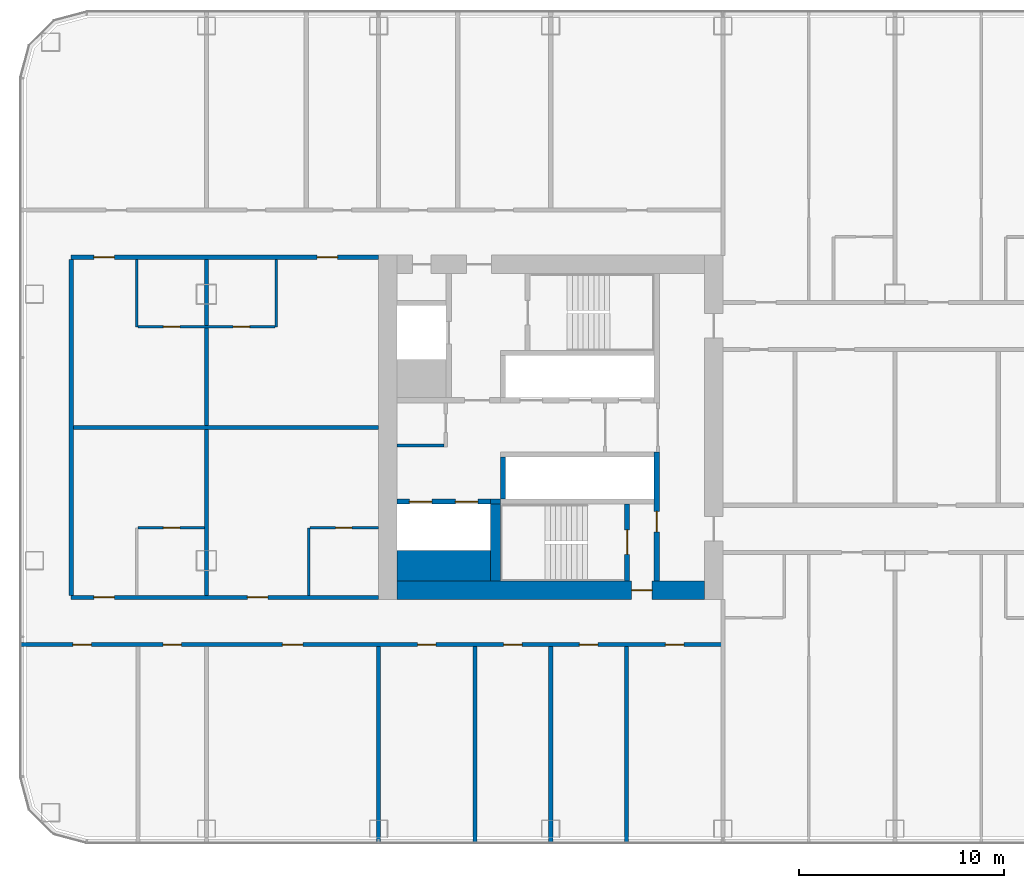
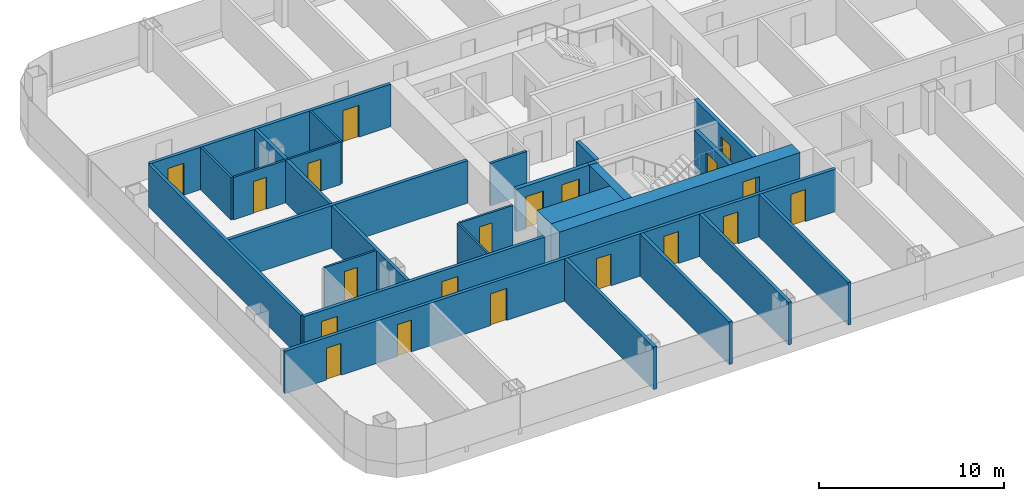
# One storey, part 13 of 28: 25 walls, 20 doors, 20 openings.
"""IFC4 building model written with IfcOpenShell, lengths in metres."""

import ifcopenshell
import ifcopenshell.guid

model = None  # the IFC model being written
_history = None  # IfcOwnerHistory: only IFC2X3 demands one
_inside = {}  # id of a spatial element -> (the spatial element, [elements in it])
_under = {}  # id of a project, library or spatial element -> (it, [spatial elements below it])
_declared = {}  # id of a project -> (the project, [libraries it declares])
_typed = {}  # id of a type object -> (the type object, [elements of that type])
_made_of = {}  # id of a material, layer set ... -> (it, [elements and type objects made of it])


def new_model(schema):
    """Start an empty IFC model of exactly this schema.

    Asked for "IFC4X3", IfcOpenShell would pick the latest addendum, in which some entities
    have other attributes; the version numbers below select the first issue.
    IFC2X3 requires an IfcOwnerHistory on every rooted entity: one is made here for all.
    """
    global model, _history
    if schema == "IFC4X3":
        model = ifcopenshell.file(schema_version=(4, 3, 0, 0))
    else:
        model = ifcopenshell.file(schema=schema)
    _inside.clear()
    _under.clear()
    _declared.clear()
    _typed.clear()
    _made_of.clear()
    _history = None
    if model.schema == "IFC2X3":
        org = make("IfcOrganization", Name="unknown")
        user = make(
            "IfcPersonAndOrganization",
            ThePerson=make("IfcPerson", FamilyName="unknown"),
            TheOrganization=org,
        )
        app = make(
            "IfcApplication",
            ApplicationDeveloper=org,
            Version="unknown",
            ApplicationFullName="unknown",
            ApplicationIdentifier="unknown",
        )
        _history = make(
            "IfcOwnerHistory",
            OwningUser=user,
            OwningApplication=app,
            ChangeAction="ADDED",
            CreationDate=0,
        )
    return model


def make(cls, **values):
    """One entity of the class cls with the attributes given. An attribute that is None is left unset."""
    return model.create_entity(
        cls, **{name: value for name, value in values.items() if value is not None}
    )


def rooted(cls, **values):
    """An entity with a GlobalId (a new one), such as an element, a storey or a relation."""
    return make(cls, GlobalId=ifcopenshell.guid.new(), OwnerHistory=_history, **values)


def si_unit(unit_type, name, prefix=None):
    """IfcSIUnit, for example si_unit("LENGTHUNIT", "METRE", prefix="MILLI")."""
    return make("IfcSIUnit", UnitType=unit_type, Prefix=prefix, Name=name)


def assignment(units):
    """IfcUnitAssignment: the units of a project."""
    return None if units is None else make("IfcUnitAssignment", Units=units)


def point(xyz):
    """IfcCartesianPoint."""
    return None if xyz is None else make("IfcCartesianPoint", Coordinates=xyz)


def direction(xyz):
    """IfcDirection."""
    return None if xyz is None else make("IfcDirection", DirectionRatios=xyz)


def frame(location, z_axis=None, x_axis=None):
    """IfcAxis2Placement3D, a coordinate frame: its origin and axes. An axis left out is left unset."""
    return make(
        "IfcAxis2Placement3D",
        Location=point(location),
        Axis=direction(z_axis),
        RefDirection=direction(x_axis),
    )


def frame_2d(location, x_axis=None):
    """IfcAxis2Placement2D, a coordinate frame in the plane: its origin and x axis."""
    return make(
        "IfcAxis2Placement2D", Location=point(location), RefDirection=direction(x_axis)
    )


def origin():
    """The frame at (0, 0, 0) with its axes left unset."""
    return frame((0.0, 0.0, 0.0))


def place(relative_to, where):
    """IfcLocalPlacement: puts the frame where relative to a parent placement (None: the world)."""
    return make(
        "IfcLocalPlacement", PlacementRelTo=relative_to, RelativePlacement=where
    )


def context(
    kind, dimensions, precision=None, world=None, true_north=None, identifier=None
):
    """IfcGeometricRepresentationContext, for example the 3D "Model" context."""
    return make(
        "IfcGeometricRepresentationContext",
        ContextIdentifier=identifier,
        ContextType=kind,
        CoordinateSpaceDimension=dimensions,
        Precision=precision,
        WorldCoordinateSystem=world,
        TrueNorth=true_north,
    )


def subcontext(parent, identifier, kind, view, scale=None):
    """IfcGeometricRepresentationSubContext, for example "Body" below "Model"."""
    return make(
        "IfcGeometricRepresentationSubContext",
        ContextIdentifier=identifier,
        ContextType=kind,
        ParentContext=parent,
        TargetScale=scale,
        TargetView=view,
    )


def project(units=None, contexts=None):
    """IfcProject with its units and contexts."""
    return rooted(
        "IfcProject",
        Name="project",
        RepresentationContexts=contexts,
        UnitsInContext=assignment(units),
    )


def spatial(cls, under=None, at=None, **own):
    """A site, building, storey or space (cls), placed at a placement, below another one or the project."""
    s = rooted(cls, ObjectPlacement=at, **own)
    if under is not None:
        _under.setdefault(under.id(), (under, []))[1].append(s)
    return s


def profile(cls, at=None, kind="AREA", **sizes):
    """A parametric profile (cls). Its sizes go by their IFC names, for example OverallWidth=200.0."""
    return make(cls, ProfileType=kind, Position=at, **sizes)


def rectangle(**sizes):
    """IfcRectangleProfileDef."""
    return profile("IfcRectangleProfileDef", **sizes)


def extrude(swept, where, along, depth):
    """IfcExtrudedAreaSolid: the profile swept, set in the frame where, extruded along a direction by depth."""
    return make(
        "IfcExtrudedAreaSolid",
        SweptArea=swept,
        Position=where,
        ExtrudedDirection=direction(along),
        Depth=depth,
    )


def shape(context_of_items, identifier, shape_type, items):
    """IfcShapeRepresentation: the items that make up one representation, for example the "Body"."""
    return make(
        "IfcShapeRepresentation",
        ContextOfItems=context_of_items,
        RepresentationIdentifier=identifier,
        RepresentationType=shape_type,
        Items=items,
    )


def material(Name=None, Category=None):
    """IfcMaterial."""
    return make("IfcMaterial", Name=Name, Category=Category)


def layer(
    of_material, thickness, ventilated=None, Name=None, Category=None, Priority=None
):
    """IfcMaterialLayer: one layer of a wall or slab, of a material (None: an air gap)."""
    return make(
        "IfcMaterialLayer",
        Material=of_material,
        LayerThickness=thickness,
        IsVentilated=ventilated,
        Name=Name,
        Category=Category,
        Priority=Priority,
    )


def layer_set(layers, Name=None):
    """IfcMaterialLayerSet."""
    return make("IfcMaterialLayerSet", MaterialLayers=layers, LayerSetName=Name)


def made_of(thing, what):
    """Note that an element or type object is made of a material, layer set ...; save() writes the relation."""
    if what is not None:
        _made_of.setdefault(what.id(), (what, []))[1].append(thing)
    return thing


def type_object(cls, material=None, **own):
    """A type object (cls), such as IfcWallType, which elements share."""
    return made_of(rooted(cls, **own), material)


def element(
    cls,
    number,
    at=None,
    inside=None,
    cuts=None,
    type_object=None,
    material=None,
    context=None,
    identifier="Body",
    shape_type=None,
    held_by="IfcProductDefinitionShape",
    body=None,
    shapes=None,
    **own,
):
    """One element of the class cls, such as IfcWall. Its Tag is "e" and its number.

    at: its placement. inside: the storey or other place that contains it. cuts: it is an
    opening in that element (IfcRelVoidsElement). A single representation is given by context,
    identifier, shape_type and body (its items); several are given by shapes. held_by: the class
    of the entity that holds the representations. save() writes the other relations.
    """
    e = rooted(cls, Tag="e%d" % number, ObjectPlacement=at, **own)
    if body is not None:
        shapes = [shape(context, identifier, shape_type, body)]
    if shapes is not None:
        e.Representation = make(held_by, Representations=shapes)
    if inside is not None:
        _inside.setdefault(inside.id(), (inside, []))[1].append(e)
    if cuts is not None:
        rooted(
            "IfcRelVoidsElement", RelatingBuildingElement=cuts, RelatedOpeningElement=e
        )
    if type_object is not None:
        _typed.setdefault(type_object.id(), (type_object, []))[1].append(e)
    return made_of(e, material)


def fill(opening, filler):
    """IfcRelFillsElement: the door or window that sits in an opening."""
    return rooted(
        "IfcRelFillsElement",
        RelatingOpeningElement=opening,
        RelatedBuildingElement=filler,
    )


def aggregate(whole, parts):
    """IfcRelAggregates: a whole, such as a stair, and the parts it consists of."""
    return rooted("IfcRelAggregates", RelatingObject=whole, RelatedObjects=parts)


def save(model, path):
    """Write the relations noted so far, then the file.

    IfcRelAggregates (storeys below a building ...), IfcRelContainedInSpatialStructure (elements
    in a storey), IfcRelDefinesByType, IfcRelAssociatesMaterial and IfcRelDeclares: one each for
    every whole, place, type object, material and project.
    """
    for whole, parts in _under.values():
        aggregate(whole, parts)
    for where, things in _inside.values():
        rooted(
            "IfcRelContainedInSpatialStructure",
            RelatedElements=things,
            RelatingStructure=where,
        )
    for kind, things in _typed.values():
        rooted("IfcRelDefinesByType", RelatedObjects=things, RelatingType=kind)
    for what, things in _made_of.values():
        rooted("IfcRelAssociatesMaterial", RelatedObjects=things, RelatingMaterial=what)
    for by, libraries in _declared.values():
        rooted("IfcRelDeclares", RelatingContext=by, RelatedDefinitions=libraries)
    model.write(path)


model = new_model("IFC4")

# Units and contexts
model_context = context("Model", 3, precision=1e-05, world=origin(), true_north=direction((0.0, 1.0)))
body_context = subcontext(model_context, "Body", "Model", "MODEL_VIEW")
ifc_project = project(units=[si_unit("LENGTHUNIT", "METRE"), si_unit("AREAUNIT", "SQUARE_METRE"), si_unit("VOLUMEUNIT", "CUBIC_METRE"), si_unit("PLANEANGLEUNIT", "RADIAN"), si_unit("MASSUNIT", "GRAM", prefix="KILO")], contexts=[model_context])

# Site, building, storey
site_placement = place(None, origin())
site = spatial("IfcSite", under=ifc_project, at=site_placement, CompositionType="ELEMENT")
building_placement = place(site_placement, origin())
building = spatial("IfcBuilding", under=site, at=building_placement, Name="Hakoniwa Tower and Hamabe Station Hall", CompositionType="ELEMENT")
storey_placement = place(building_placement, frame((0.0, 0.0, 48.60009765625)))
storey = spatial("IfcBuildingStorey", under=building, at=storey_placement, Name="L13", CompositionType="ELEMENT", Elevation=48.60009765625)

# Wall, opening, door
ifc_material_1 = material(Name="Gypsum board partition", Category="gypsum")
ifc_layer_1 = layer(ifc_material_1, 0.125)
ifc_layer_set_1 = layer_set([ifc_layer_1], Name="Bathroom Partition 125")
wall_type_1 = type_object("IfcWallType", Name="Bathroom Partition 125", PredefinedType="PARTITIONING", material=ifc_layer_set_1)
wall_1_placement = place(storey_placement, frame((-45.33740234375, -4.89990234375, 0.0), z_axis=(0.0, 0.0, 1.0), x_axis=(1.0, 0.0, 0.0)))
wall_1 = element("IfcWall", 1, at=wall_1_placement, inside=storey, type_object=wall_type_1, Name="GW-L13-010", PredefinedType="PARTITIONING", context=body_context, shape_type="SweptSolid", body=[
    extrude(rectangle(XDim=3.2373046875, YDim=0.125, at=frame_2d((1.61865234375, 0.0))), origin(), (0.0, 0.0, 1.0), 2.7998046875),
])
opening_1_placement = place(wall_1_placement, frame((1.237548828125, 0.0, 0.0)))
opening_1 = element("IfcOpeningElement", 2, at=opening_1_placement, cuts=wall_1, Name="Opening GD-G1E1-24", PredefinedType="OPENING", context=body_context, shape_type="SweptSolid", body=[
    extrude(rectangle(XDim=0.800048828125, YDim=2.10009765625, at=frame_2d((0.39990234375, 1.050048828125))), frame((0.0, 0.072509765625, 0.0), z_axis=(0.0, -1.0, 0.0), x_axis=(1.0, 0.0, 0.0)), (0.0, 0.0, 1.0), 0.14501953125),
])
ifc_material_2 = material(Name="Timber door leaf", Category="wood")
door_type_1 = type_object("IfcDoorType", Name="Bathroom Door 800", OperationType="SINGLE_SWING_LEFT", PredefinedType="DOOR", material=ifc_material_2)
door_1_placement = place(opening_1_placement, origin())
door_1 = element("IfcDoor", 3, at=door_1_placement, inside=storey, type_object=door_type_1, Name="Door GD-G1E1-24", OperationType="SINGLE_SWING_LEFT", OverallHeight=2.10009765625, OverallWidth=0.800048828125, PredefinedType="DOOR", context=body_context, shape_type="SweptSolid", body=[
    extrude(rectangle(XDim=0.800048828125, YDim=2.10009765625, at=frame_2d((0.39990234375, 1.050048828125))), frame((0.0, 0.02490234375, 0.0), z_axis=(0.0, -1.0, 0.0), x_axis=(1.0, 0.0, 0.0)), (0.0, 0.0, 1.0), 0.050048828125),
])
fill(opening_1, door_1)

wall_2_placement = place(storey_placement, frame((-36.9375, -4.89990234375, 0.0), z_axis=(0.0, 0.0, 1.0), x_axis=(1.0, 0.0, 0.0)))
wall_2 = element("IfcWall", 4, at=wall_2_placement, inside=storey, type_object=wall_type_1, Name="GW-L13-011", PredefinedType="PARTITIONING", context=body_context, shape_type="SweptSolid", body=[
    extrude(rectangle(XDim=3.33740234375, YDim=0.125, at=frame_2d((1.668701171875, 0.0))), origin(), (0.0, 0.0, 1.0), 2.7998046875),
])
opening_2_placement = place(wall_2_placement, frame((1.237548828125, 0.0, 0.0)))
opening_2 = element("IfcOpeningElement", 5, at=opening_2_placement, cuts=wall_2, Name="Opening GD-G1E1-25", PredefinedType="OPENING", context=body_context, shape_type="SweptSolid", body=[
    extrude(rectangle(XDim=0.800048828125, YDim=2.10009765625, at=frame_2d((0.39990234375, 1.050048828125))), frame((0.0, 0.072509765625, 0.0), z_axis=(0.0, -1.0, 0.0), x_axis=(1.0, 0.0, 0.0)), (0.0, 0.0, 1.0), 0.14501953125),
])
door_2_placement = place(opening_2_placement, origin())
door_2 = element("IfcDoor", 6, at=door_2_placement, inside=storey, type_object=door_type_1, Name="Door GD-G1E1-25", OperationType="SINGLE_SWING_LEFT", OverallHeight=2.10009765625, OverallWidth=0.800048828125, PredefinedType="DOOR", context=body_context, shape_type="SweptSolid", body=[
    extrude(rectangle(XDim=0.800048828125, YDim=2.10009765625, at=frame_2d((0.39990234375, 1.050048828125))), frame((0.0, 0.02490234375, 0.0), z_axis=(0.0, -1.0, 0.0), x_axis=(1.0, 0.0, 0.0)), (0.0, 0.0, 1.0), 0.050048828125),
])
fill(opening_2, door_2)

# Wall, openings, doors
wall_3_placement = place(storey_placement, frame((-45.33740234375, 4.89990234375, 0.0), z_axis=(0.0, 0.0, 1.0), x_axis=(1.0, 0.0, 0.0)))
wall_3 = element("IfcWall", 7, at=wall_3_placement, inside=storey, type_object=wall_type_1, Name="GW-L13-017", PredefinedType="PARTITIONING", context=body_context, shape_type="SweptSolid", body=[
    extrude(rectangle(XDim=6.6748046875, YDim=0.125, at=frame_2d((3.33740234375, 0.0))), origin(), (0.0, 0.0, 1.0), 2.7998046875),
])
opening_3_placement = place(wall_3_placement, frame((1.237548828125, 0.0, 0.0)))
opening_3 = element("IfcOpeningElement", 8, at=opening_3_placement, cuts=wall_3, Name="Opening GD-G1E1-35", PredefinedType="OPENING", context=body_context, shape_type="SweptSolid", body=[
    extrude(rectangle(XDim=0.800048828125, YDim=2.10009765625, at=frame_2d((0.39990234375, 1.050048828125))), frame((0.0, 0.072509765625, 0.0), z_axis=(0.0, -1.0, 0.0), x_axis=(1.0, 0.0, 0.0)), (0.0, 0.0, 1.0), 0.14501953125),
])
opening_4_placement = place(wall_3_placement, frame((4.637451171875, 0.0, 0.0)))
opening_4 = element("IfcOpeningElement", 9, at=opening_4_placement, cuts=wall_3, Name="Opening GD-G1E1-36", PredefinedType="OPENING", context=body_context, shape_type="SweptSolid", body=[
    extrude(rectangle(XDim=0.800048828125, YDim=2.10009765625, at=frame_2d((0.39990234375, 1.050048828125))), frame((0.0, 0.072509765625, 0.0), z_axis=(0.0, -1.0, 0.0), x_axis=(1.0, 0.0, 0.0)), (0.0, 0.0, 1.0), 0.14501953125),
])
door_3_placement = place(opening_3_placement, origin())
door_3 = element("IfcDoor", 10, at=door_3_placement, inside=storey, type_object=door_type_1, Name="Door GD-G1E1-35", OperationType="SINGLE_SWING_RIGHT", OverallHeight=2.10009765625, OverallWidth=0.800048828125, PredefinedType="DOOR", context=body_context, shape_type="SweptSolid", body=[
    extrude(rectangle(XDim=0.800048828125, YDim=2.10009765625, at=frame_2d((0.39990234375, 1.050048828125))), frame((0.0, 0.02490234375, 0.0), z_axis=(0.0, -1.0, 0.0), x_axis=(1.0, 0.0, 0.0)), (0.0, 0.0, 1.0), 0.050048828125),
])
fill(opening_3, door_3)
door_4_placement = place(opening_4_placement, origin())
door_4 = element("IfcDoor", 11, at=door_4_placement, inside=storey, type_object=door_type_1, Name="Door GD-G1E1-36", OperationType="SINGLE_SWING_LEFT", OverallHeight=2.10009765625, OverallWidth=0.800048828125, PredefinedType="DOOR", context=body_context, shape_type="SweptSolid", body=[
    extrude(rectangle(XDim=0.800048828125, YDim=2.10009765625, at=frame_2d((0.39990234375, 1.050048828125))), frame((0.0, 0.02490234375, 0.0), z_axis=(0.0, -1.0, 0.0), x_axis=(1.0, 0.0, 0.0)), (0.0, 0.0, 1.0), 0.050048828125),
])
fill(opening_4, door_4)

# Walls
for number, where, z_axis, x_axis, name in (
    (12, (-45.39990234375, 4.89990234375, 0.0), (0.0, 0.0, 1.0), (0.0, 1.0, 0.0), "GW-L13-034"),
    (13, (-38.60009765625, 4.89990234375, 0.0), (0.0, 0.0, 1.0), (0.0, 1.0, 0.0), "GW-L13-039"),
    (14, (-37.0, -8.199951171875, 0.0), (0.0, 0.0, 1.0), (0.0, 1.0, 0.0), "GW-L13-041"),
):
    element("IfcWall", number, at=place(storey_placement, frame(where, z_axis=z_axis, x_axis=x_axis)), inside=storey, type_object=wall_type_1, Name=name, PredefinedType="PARTITIONING", context=body_context, shape_type="SweptSolid", body=[
        extrude(rectangle(XDim=3.300048828125, YDim=0.125, at=frame_2d((1.64990234375, 0.0))), origin(), (0.0, 0.0, 1.0), 2.7998046875),
    ])
ifc_material_3 = material(Name="Gypsum board partition")
ifc_layer_2 = layer(ifc_material_3, 0.14990234375)
ifc_layer_set_2 = layer_set([ifc_layer_2], Name="CORE PARTITION 150 EI 60")
wall_type_2 = type_object("IfcWallType", Name="CORE PARTITION 150 EI 60", PredefinedType="PARTITIONING", material=ifc_layer_set_2)
wall_4_placement = place(storey_placement, frame((-32.699951171875, -0.875, 0.0), z_axis=(0.0, 0.0, 1.0), x_axis=(1.0, 0.0, 0.0)))
element("IfcWall", 15, at=wall_4_placement, inside=storey, type_object=wall_type_2, Name="Core partition PS west", PredefinedType="PARTITIONING", context=body_context, shape_type="SweptSolid", body=[
    extrude(rectangle(XDim=2.300048828125, YDim=0.14990234375, at=frame_2d((1.14990234375, 0.0))), origin(), (0.0, 0.0, 1.0), 2.7998046875),
])

# Wall, opening, door
ifc_material_4 = material(Name="Concrete C80", Category="concrete")
ifc_layer_3 = layer(ifc_material_4, 0.89990234375)
ifc_layer_set_3 = layer_set([ifc_layer_3], Name="CORE WALL 900 C80")
wall_type_3 = type_object("IfcWallType", Name="CORE WALL 900 C80", PredefinedType="SHEAR", material=ifc_layer_set_3)
wall_5_placement = place(storey_placement, frame((-32.699951171875, -7.949951171875, 0.0), z_axis=(0.0, 0.0, 1.0), x_axis=(1.0, 0.0, 0.0)))
wall_5 = element("IfcWall", 16, at=wall_5_placement, inside=storey, type_object=wall_type_3, Name="Core wall SOUTH west", PredefinedType="SHEAR", context=body_context, shape_type="SweptSolid", body=[
    extrude(rectangle(XDim=15.0, YDim=0.89990234375, at=frame_2d((7.5, 0.0))), origin(), (0.0, 0.0, 1.0), 2.7998046875),
])
opening_5_placement = place(wall_5_placement, frame((11.449951171875, 0.0, 0.0)))
opening_5 = element("IfcOpeningElement", 17, at=opening_5_placement, cuts=wall_5, Name="Opening CD-W-FS3-10", PredefinedType="OPENING", context=body_context, shape_type="SweptSolid", body=[
    extrude(rectangle(XDim=1.0, YDim=2.10009765625, at=frame_2d((0.5, 1.050048828125))), frame((0.0, 0.4599609375, 0.0), z_axis=(0.0, -1.0, 0.0), x_axis=(1.0, 0.0, 0.0)), (0.0, 0.0, 1.0), 0.919921875),
])
ifc_material_5 = material(Name="Steel fire door", Category="steel")
door_type_2 = type_object("IfcDoorType", Name="CORE DOOR 1000 FD60", OperationType="NOTDEFINED", PredefinedType="DOOR", material=ifc_material_5)
door_5_placement = place(opening_5_placement, origin())
door_5 = element("IfcDoor", 18, at=door_5_placement, inside=storey, type_object=door_type_2, Name="Stair vestibule door", OperationType="SINGLE_SWING_LEFT", OverallHeight=2.10009765625, OverallWidth=1.0, PredefinedType="DOOR", context=body_context, shape_type="SweptSolid", body=[
    extrude(rectangle(XDim=1.0, YDim=2.10009765625, at=frame_2d((0.5, 1.050048828125))), frame((0.0, 0.02490234375, 0.0), z_axis=(0.0, -1.0, 0.0), x_axis=(1.0, 0.0, 0.0)), (0.0, 0.0, 1.0), 0.050048828125),
])
fill(opening_5, door_5)

# Wall
ifc_material_6 = material(Name="Concrete C80", Category="concrete")
ifc_layer_4 = layer(ifc_material_6, 1.5)
ifc_layer_set_4 = layer_set([ifc_layer_4], Name="CORE WEB WALL 1500 C80")
wall_type_4 = type_object("IfcWallType", Name="CORE WEB WALL 1500 C80", PredefinedType="SHEAR", material=ifc_layer_set_4)
wall_6_placement = place(storey_placement, frame((-32.699951171875, -6.75, 0.0), z_axis=(0.0, 0.0, 1.0), x_axis=(1.0, 0.0, 0.0)))
element("IfcWall", 19, at=wall_6_placement, inside=storey, type_object=wall_type_4, Name="Core wall SER west", PredefinedType="SHEAR", context=body_context, shape_type="SweptSolid", body=[
    extrude(rectangle(XDim=4.550048828125, YDim=1.5, at=frame_2d((2.27490234375, 0.0))), origin(), (0.0, 0.0, 1.0), 2.7998046875),
])

# Wall, opening, door
ifc_material_7 = material(Name="Concrete C80", Category="concrete")
ifc_layer_5 = layer(ifc_material_7, 0.25)
ifc_layer_set_5 = layer_set([ifc_layer_5], Name="CORE WEB WALL 250 C80")
wall_type_5 = type_object("IfcWallType", Name="CORE WEB WALL 250 C80", PredefinedType="SHEAR", material=ifc_layer_set_5)
wall_7_placement = place(storey_placement, frame((-20.02490234375, -7.5, 0.0), z_axis=(0.0, 0.0, 1.0), x_axis=(0.0, 1.0, 0.0)))
wall_7 = element("IfcWall", 20, at=wall_7_placement, inside=storey, type_object=wall_type_5, Name="Core wall W1S west", PredefinedType="SHEAR", context=body_context, shape_type="SweptSolid", body=[
    extrude(rectangle(XDim=6.300048828125, YDim=0.25, at=frame_2d((3.14990234375, 0.0))), origin(), (0.0, 0.0, 1.0), 2.7998046875),
])
opening_6_placement = place(wall_7_placement, frame((2.39990234375, 0.0, 0.0)))
opening_6 = element("IfcOpeningElement", 21, at=opening_6_placement, cuts=wall_7, Name="Opening CD-W-VS-10", PredefinedType="OPENING", context=body_context, shape_type="SweptSolid", body=[
    extrude(rectangle(XDim=1.0, YDim=2.10009765625, at=frame_2d((0.5, 1.050048828125))), frame((0.0, 0.135009765625, 0.0), z_axis=(0.0, -1.0, 0.0), x_axis=(1.0, 0.0, 0.0)), (0.0, 0.0, 1.0), 0.27001953125),
])
door_6_placement = place(opening_6_placement, origin())
door_6 = element("IfcDoor", 22, at=door_6_placement, inside=storey, type_object=door_type_2, Name="Stair vestibule door", OperationType="SINGLE_SWING_LEFT", OverallHeight=2.10009765625, OverallWidth=1.0, PredefinedType="DOOR", context=body_context, shape_type="SweptSolid", body=[
    extrude(rectangle(XDim=1.0, YDim=2.10009765625, at=frame_2d((0.5, 1.050048828125))), frame((0.0, 0.02490234375, 0.0), z_axis=(0.0, -1.0, 0.0), x_axis=(1.0, 0.0, 0.0)), (0.0, 0.0, 1.0), 0.050048828125),
])
fill(opening_6, door_6)

# Wall
wall_8_placement = place(storey_placement, frame((-27.52490234375, -3.5, 0.0), z_axis=(0.0, 0.0, 1.0), x_axis=(0.0, 1.0, 0.0)))
element("IfcWall", 23, at=wall_8_placement, inside=storey, type_object=wall_type_5, Name="Core wall SE west", PredefinedType="SHEAR", context=body_context, shape_type="SweptSolid", body=[
    extrude(rectangle(XDim=2.050048828125, YDim=0.25, at=frame_2d((1.02490234375, 0.0))), origin(), (0.0, 0.0, 1.0), 2.7998046875),
])

# Wall, opening, door
wall_9_placement = place(storey_placement, frame((-21.47509765625, -7.5, 0.0), z_axis=(0.0, 0.0, 1.0), x_axis=(0.0, 1.0, 0.0)))
wall_9 = element("IfcWall", 24, at=wall_9_placement, inside=storey, type_object=wall_type_5, Name="Core wall VE west", PredefinedType="SHEAR", context=body_context, shape_type="SweptSolid", body=[
    extrude(rectangle(XDim=3.75, YDim=0.25, at=frame_2d((1.875, 0.0))), origin(), (0.0, 0.0, 1.0), 2.7998046875),
])
opening_7_placement = place(wall_9_placement, frame((1.300048828125, 0.0, 0.0)))
opening_7 = element("IfcOpeningElement", 25, at=opening_7_placement, cuts=wall_9, Name="Opening CD-W-SS-12", PredefinedType="OPENING", context=body_context, shape_type="SweptSolid", body=[
    extrude(rectangle(XDim=1.199951171875, YDim=2.10009765625, at=frame_2d((0.60009765625, 1.050048828125))), frame((0.0, 0.135009765625, 0.0), z_axis=(0.0, -1.0, 0.0), x_axis=(1.0, 0.0, 0.0)), (0.0, 0.0, 1.0), 0.27001953125),
])
ifc_material_8 = material(Name="Steel fire door", Category="steel")
door_type_3 = type_object("IfcDoorType", Name="CORE DOOR 1200 FD60", OperationType="DOUBLE_DOOR_SINGLE_SWING", PredefinedType="DOOR", material=ifc_material_8)
door_7_placement = place(opening_7_placement, origin())
door_7 = element("IfcDoor", 26, at=door_7_placement, inside=storey, type_object=door_type_3, Name="Escape stair door", OperationType="DOUBLE_DOOR_SINGLE_SWING", OverallHeight=2.10009765625, OverallWidth=1.199951171875, PredefinedType="DOOR", context=body_context, shape_type="SweptSolid", body=[
    extrude(rectangle(XDim=1.199951171875, YDim=2.10009765625, at=frame_2d((0.60009765625, 1.050048828125))), frame((0.0, 0.02490234375, 0.0), z_axis=(0.0, -1.0, 0.0), x_axis=(1.0, 0.0, 0.0)), (0.0, 0.0, 1.0), 0.050048828125),
])
fill(opening_7, door_7)

# Wall, openings, doors
wall_10_placement = place(storey_placement, frame((-32.699951171875, -3.625, 0.0), z_axis=(0.0, 0.0, 1.0), x_axis=(1.0, 0.0, 0.0)))
wall_10 = element("IfcWall", 27, at=wall_10_placement, inside=storey, type_object=wall_type_5, Name="Core wall SEF west", PredefinedType="SHEAR", context=body_context, shape_type="SweptSolid", body=[
    extrude(rectangle(XDim=4.550048828125, YDim=0.25, at=frame_2d((2.27490234375, 0.0))), origin(), (0.0, 0.0, 1.0), 2.7998046875),
])
opening_8_placement = place(wall_10_placement, frame((2.85009765625, 0.0, 0.0)))
opening_8 = element("IfcOpeningElement", 28, at=opening_8_placement, cuts=wall_10, Name="Opening LD-SV1", PredefinedType="OPENING", context=body_context, shape_type="SweptSolid", body=[
    extrude(rectangle(XDim=1.10009765625, YDim=2.10009765625, at=frame_2d((0.550048828125, 1.050048828125))), frame((0.0, 0.135009765625, 0.0), z_axis=(0.0, -1.0, 0.0), x_axis=(1.0, 0.0, 0.0)), (0.0, 0.0, 1.0), 0.27001953125),
])
opening_9_placement = place(wall_10_placement, frame((0.60009765625, 0.0, 0.0)))
opening_9 = element("IfcOpeningElement", 29, at=opening_9_placement, cuts=wall_10, Name="Opening LD-SV2", PredefinedType="OPENING", context=body_context, shape_type="SweptSolid", body=[
    extrude(rectangle(XDim=1.10009765625, YDim=2.10009765625, at=frame_2d((0.550048828125, 1.050048828125))), frame((0.0, 0.135009765625, 0.0), z_axis=(0.0, -1.0, 0.0), x_axis=(1.0, 0.0, 0.0)), (0.0, 0.0, 1.0), 0.27001953125),
])
ifc_material_9 = material(Name="Stainless steel SUS304", Category="steel")
door_type_4 = type_object("IfcDoorType", Name="LIFT LANDING DOOR 1100 FD60", OperationType="DOUBLE_DOOR_SLIDING", PredefinedType="DOOR", material=ifc_material_9)
door_8_placement = place(opening_8_placement, origin())
door_8 = element("IfcDoor", 30, at=door_8_placement, inside=storey, type_object=door_type_4, Name="Lift landing door SV1 L13", OperationType="DOUBLE_DOOR_SLIDING", OverallHeight=2.10009765625, OverallWidth=1.10009765625, PredefinedType="DOOR", context=body_context, shape_type="SweptSolid", body=[
    extrude(rectangle(XDim=1.10009765625, YDim=2.10009765625, at=frame_2d((0.550048828125, 1.050048828125))), frame((0.0, 0.02490234375, 0.0), z_axis=(0.0, -1.0, 0.0), x_axis=(1.0, 0.0, 0.0)), (0.0, 0.0, 1.0), 0.050048828125),
])
fill(opening_8, door_8)
door_9_placement = place(opening_9_placement, origin())
door_9 = element("IfcDoor", 31, at=door_9_placement, inside=storey, type_object=door_type_4, Name="Lift landing door SV2 L13", OperationType="DOUBLE_DOOR_SLIDING", OverallHeight=2.10009765625, OverallWidth=1.10009765625, PredefinedType="DOOR", context=body_context, shape_type="SweptSolid", body=[
    extrude(rectangle(XDim=1.10009765625, YDim=2.10009765625, at=frame_2d((0.550048828125, 1.050048828125))), frame((0.0, 0.02490234375, 0.0), z_axis=(0.0, -1.0, 0.0), x_axis=(1.0, 0.0, 0.0)), (0.0, 0.0, 1.0), 0.050048828125),
])
fill(opening_9, door_9)

# Walls
wall_11_placement = place(storey_placement, frame((-28.14990234375, -3.625, 0.0), z_axis=(0.0, 0.0, 1.0), x_axis=(1.0, 0.0, 0.0)))
element("IfcWall", 32, at=wall_11_placement, inside=storey, type_object=wall_type_5, Name="Core wall SRK west", PredefinedType="SHEAR", context=body_context, shape_type="SweptSolid", body=[
    extrude(rectangle(XDim=0.5, YDim=0.25, at=frame_2d((0.25, 0.0))), origin(), (0.0, 0.0, 1.0), 2.7998046875),
])
ifc_material_10 = material(Name="Concrete C80", Category="concrete")
ifc_layer_6 = layer(ifc_material_10, 0.5)
ifc_layer_set_6 = layer_set([ifc_layer_6], Name="CORE WEB WALL 500 C80")
wall_type_6 = type_object("IfcWallType", Name="CORE WEB WALL 500 C80", PredefinedType="SHEAR", material=ifc_layer_set_6)
wall_12_placement = place(storey_placement, frame((-27.89990234375, -7.5, 0.0), z_axis=(0.0, 0.0, 1.0), x_axis=(0.0, 1.0, 0.0)))
element("IfcWall", 33, at=wall_12_placement, inside=storey, type_object=wall_type_6, Name="Core wall SSE west", PredefinedType="SHEAR", context=body_context, shape_type="SweptSolid", body=[
    extrude(rectangle(XDim=3.75, YDim=0.5, at=frame_2d((1.875, 0.0))), origin(), (0.0, 0.0, 1.0), 2.7998046875),
])

# Wall, openings, doors
ifc_material_11 = material(Name="Fire-rated gypsum board partition", Category="gypsum")
ifc_layer_7 = layer(ifc_material_11, 0.199951171875)
ifc_layer_set_7 = layer_set([ifc_layer_7], Name="Corridor Wall 200")
wall_type_7 = type_object("IfcWallType", Name="Corridor Wall 200", PredefinedType="PARTITIONING", material=ifc_layer_set_7)
wall_13_placement = place(storey_placement, frame((-51.10009765625, -10.60009765625, 0.0), z_axis=(0.0, 0.0, 1.0), x_axis=(1.0, 0.0, 0.0)))
wall_13 = element("IfcWall", 34, at=wall_13_placement, inside=storey, type_object=wall_type_7, Name="GW-L13-001", PredefinedType="PARTITIONING", context=body_context, shape_type="SweptSolid", body=[
    extrude(rectangle(XDim=34.300048828125, YDim=0.199951171875, at=frame_2d((17.14990234375, 0.0))), origin(), (0.0, 0.0, 1.0), 2.7998046875),
])
opening_10_placement = place(wall_13_placement, frame((2.580078125, 0.0, 0.0)))
opening_10 = element("IfcOpeningElement", 35, at=opening_10_placement, cuts=wall_13, Name="Opening GD-G1E1-01", PredefinedType="OPENING", context=body_context, shape_type="SweptSolid", body=[
    extrude(rectangle(XDim=0.89990234375, YDim=2.10009765625, at=frame_2d((0.449951171875, 1.050048828125))), frame((0.0, 0.10986328125, 0.0), z_axis=(0.0, -1.0, 0.0), x_axis=(1.0, 0.0, 0.0)), (0.0, 0.0, 1.0), 0.219970703125),
])
opening_11_placement = place(wall_13_placement, frame((6.97998046875, 0.0, 0.0)))
opening_11 = element("IfcOpeningElement", 36, at=opening_11_placement, cuts=wall_13, Name="Opening GD-G1E1-02", PredefinedType="OPENING", context=body_context, shape_type="SweptSolid", body=[
    extrude(rectangle(XDim=0.89990234375, YDim=2.10009765625, at=frame_2d((0.449951171875, 1.050048828125))), frame((0.0, 0.10986328125, 0.0), z_axis=(0.0, -1.0, 0.0), x_axis=(1.0, 0.0, 0.0)), (0.0, 0.0, 1.0), 0.219970703125),
])
opening_12_placement = place(wall_13_placement, frame((12.800048828125, 0.0, 0.0)))
opening_12 = element("IfcOpeningElement", 37, at=opening_12_placement, cuts=wall_13, Name="Opening GD-G1E1-03", PredefinedType="OPENING", context=body_context, shape_type="SweptSolid", body=[
    extrude(rectangle(XDim=1.0, YDim=2.10009765625, at=frame_2d((0.5, 1.050048828125))), frame((0.0, 0.10986328125, 0.0), z_axis=(0.0, -1.0, 0.0), x_axis=(1.0, 0.0, 0.0)), (0.0, 0.0, 1.0), 0.219970703125),
])
opening_13_placement = place(wall_13_placement, frame((19.39990234375, 0.0, 0.0)))
opening_13 = element("IfcOpeningElement", 38, at=opening_13_placement, cuts=wall_13, Name="Opening GD-G1E1-04", PredefinedType="OPENING", context=body_context, shape_type="SweptSolid", body=[
    extrude(rectangle(XDim=0.89990234375, YDim=2.10009765625, at=frame_2d((0.449951171875, 1.050048828125))), frame((0.0, 0.10986328125, 0.0), z_axis=(0.0, -1.0, 0.0), x_axis=(1.0, 0.0, 0.0)), (0.0, 0.0, 1.0), 0.219970703125),
])
opening_14_placement = place(wall_13_placement, frame((23.60009765625, 0.0, 0.0)))
opening_14 = element("IfcOpeningElement", 39, at=opening_14_placement, cuts=wall_13, Name="Opening GD-G1E1-05", PredefinedType="OPENING", context=body_context, shape_type="SweptSolid", body=[
    extrude(rectangle(XDim=0.89990234375, YDim=2.10009765625, at=frame_2d((0.449951171875, 1.050048828125))), frame((0.0, 0.10986328125, 0.0), z_axis=(0.0, -1.0, 0.0), x_axis=(1.0, 0.0, 0.0)), (0.0, 0.0, 1.0), 0.219970703125),
])
opening_15_placement = place(wall_13_placement, frame((27.300048828125, 0.0, 0.0)))
opening_15 = element("IfcOpeningElement", 40, at=opening_15_placement, cuts=wall_13, Name="Opening GD-G1E1-06", PredefinedType="OPENING", context=body_context, shape_type="SweptSolid", body=[
    extrude(rectangle(XDim=0.89990234375, YDim=2.10009765625, at=frame_2d((0.449951171875, 1.050048828125))), frame((0.0, 0.10986328125, 0.0), z_axis=(0.0, -1.0, 0.0), x_axis=(1.0, 0.0, 0.0)), (0.0, 0.0, 1.0), 0.219970703125),
])
opening_16_placement = place(wall_13_placement, frame((31.5, 0.0, 0.0)))
opening_16 = element("IfcOpeningElement", 41, at=opening_16_placement, cuts=wall_13, Name="Opening GD-G1E1-07", PredefinedType="OPENING", context=body_context, shape_type="SweptSolid", body=[
    extrude(rectangle(XDim=0.89990234375, YDim=2.10009765625, at=frame_2d((0.449951171875, 1.050048828125))), frame((0.0, 0.10986328125, 0.0), z_axis=(0.0, -1.0, 0.0), x_axis=(1.0, 0.0, 0.0)), (0.0, 0.0, 1.0), 0.219970703125),
])
ifc_material_12 = material(Name="Timber door leaf", Category="wood")
door_type_5 = type_object("IfcDoorType", Name="Guest Entrance Door 1000", OperationType="SINGLE_SWING_LEFT", PredefinedType="DOOR", material=ifc_material_12)
door_10_placement = place(opening_12_placement, origin())
door_10 = element("IfcDoor", 42, at=door_10_placement, inside=storey, type_object=door_type_5, Name="Door GD-G1E1-03", OperationType="SINGLE_SWING_RIGHT", OverallHeight=2.10009765625, OverallWidth=1.0, PredefinedType="DOOR", context=body_context, shape_type="SweptSolid", body=[
    extrude(rectangle(XDim=1.0, YDim=2.10009765625, at=frame_2d((0.5, 1.050048828125))), frame((0.0, 0.02490234375, 0.0), z_axis=(0.0, -1.0, 0.0), x_axis=(1.0, 0.0, 0.0)), (0.0, 0.0, 1.0), 0.050048828125),
])
fill(opening_12, door_10)
ifc_material_13 = material(Name="Timber door leaf", Category="wood")
door_type_6 = type_object("IfcDoorType", Name="Service Door 900", OperationType="SINGLE_SWING_LEFT", PredefinedType="DOOR", material=ifc_material_13)
door_11_placement = place(opening_10_placement, origin())
door_11 = element("IfcDoor", 43, at=door_11_placement, inside=storey, type_object=door_type_6, Name="Door GD-G1E1-01", OperationType="SINGLE_SWING_RIGHT", OverallHeight=2.10009765625, OverallWidth=0.89990234375, PredefinedType="DOOR", context=body_context, shape_type="SweptSolid", body=[
    extrude(rectangle(XDim=0.89990234375, YDim=2.10009765625, at=frame_2d((0.449951171875, 1.050048828125))), frame((0.0, 0.02490234375, 0.0), z_axis=(0.0, -1.0, 0.0), x_axis=(1.0, 0.0, 0.0)), (0.0, 0.0, 1.0), 0.050048828125),
])
fill(opening_10, door_11)
door_12_placement = place(opening_11_placement, origin())
door_12 = element("IfcDoor", 44, at=door_12_placement, inside=storey, type_object=door_type_6, Name="Door GD-G1E1-02", OperationType="SINGLE_SWING_LEFT", OverallHeight=2.10009765625, OverallWidth=0.89990234375, PredefinedType="DOOR", context=body_context, shape_type="SweptSolid", body=[
    extrude(rectangle(XDim=0.89990234375, YDim=2.10009765625, at=frame_2d((0.449951171875, 1.050048828125))), frame((0.0, 0.02490234375, 0.0), z_axis=(0.0, -1.0, 0.0), x_axis=(1.0, 0.0, 0.0)), (0.0, 0.0, 1.0), 0.050048828125),
])
fill(opening_11, door_12)
door_13_placement = place(opening_13_placement, origin())
door_13 = element("IfcDoor", 45, at=door_13_placement, inside=storey, type_object=door_type_6, Name="Door GD-G1E1-04", OperationType="SINGLE_SWING_LEFT", OverallHeight=2.10009765625, OverallWidth=0.89990234375, PredefinedType="DOOR", context=body_context, shape_type="SweptSolid", body=[
    extrude(rectangle(XDim=0.89990234375, YDim=2.10009765625, at=frame_2d((0.449951171875, 1.050048828125))), frame((0.0, 0.02490234375, 0.0), z_axis=(0.0, -1.0, 0.0), x_axis=(1.0, 0.0, 0.0)), (0.0, 0.0, 1.0), 0.050048828125),
])
fill(opening_13, door_13)
door_14_placement = place(opening_14_placement, origin())
door_14 = element("IfcDoor", 46, at=door_14_placement, inside=storey, type_object=door_type_6, Name="Door GD-G1E1-05", OperationType="SINGLE_SWING_RIGHT", OverallHeight=2.10009765625, OverallWidth=0.89990234375, PredefinedType="DOOR", context=body_context, shape_type="SweptSolid", body=[
    extrude(rectangle(XDim=0.89990234375, YDim=2.10009765625, at=frame_2d((0.449951171875, 1.050048828125))), frame((0.0, 0.02490234375, 0.0), z_axis=(0.0, -1.0, 0.0), x_axis=(1.0, 0.0, 0.0)), (0.0, 0.0, 1.0), 0.050048828125),
])
fill(opening_14, door_14)
door_15_placement = place(opening_15_placement, origin())
door_15 = element("IfcDoor", 47, at=door_15_placement, inside=storey, type_object=door_type_6, Name="Door GD-G1E1-06", OperationType="SINGLE_SWING_LEFT", OverallHeight=2.10009765625, OverallWidth=0.89990234375, PredefinedType="DOOR", context=body_context, shape_type="SweptSolid", body=[
    extrude(rectangle(XDim=0.89990234375, YDim=2.10009765625, at=frame_2d((0.449951171875, 1.050048828125))), frame((0.0, 0.02490234375, 0.0), z_axis=(0.0, -1.0, 0.0), x_axis=(1.0, 0.0, 0.0)), (0.0, 0.0, 1.0), 0.050048828125),
])
fill(opening_15, door_15)
door_16_placement = place(opening_16_placement, origin())
door_16 = element("IfcDoor", 48, at=door_16_placement, inside=storey, type_object=door_type_6, Name="Door GD-G1E1-07", OperationType="SINGLE_SWING_RIGHT", OverallHeight=2.10009765625, OverallWidth=0.89990234375, PredefinedType="DOOR", context=body_context, shape_type="SweptSolid", body=[
    extrude(rectangle(XDim=0.89990234375, YDim=2.10009765625, at=frame_2d((0.449951171875, 1.050048828125))), frame((0.0, 0.02490234375, 0.0), z_axis=(0.0, -1.0, 0.0), x_axis=(1.0, 0.0, 0.0)), (0.0, 0.0, 1.0), 0.050048828125),
])
fill(opening_16, door_16)

wall_14_placement = place(storey_placement, frame((-48.60009765625, -8.300048828125, 0.0), z_axis=(0.0, 0.0, 1.0), x_axis=(1.0, 0.0, 0.0)))
wall_14 = element("IfcWall", 49, at=wall_14_placement, inside=storey, type_object=wall_type_7, Name="GW-L13-006", PredefinedType="PARTITIONING", context=body_context, shape_type="SweptSolid", body=[
    extrude(rectangle(XDim=15.0, YDim=0.199951171875, at=frame_2d((7.5, 0.0))), origin(), (0.0, 0.0, 1.0), 2.7998046875),
])
opening_17_placement = place(wall_14_placement, frame((1.10009765625, 0.0, 0.0)))
opening_17 = element("IfcOpeningElement", 50, at=opening_17_placement, cuts=wall_14, Name="Opening GD-G1E1-16", PredefinedType="OPENING", context=body_context, shape_type="SweptSolid", body=[
    extrude(rectangle(XDim=1.0, YDim=2.10009765625, at=frame_2d((0.5, 1.050048828125))), frame((0.0, 0.10986328125, 0.0), z_axis=(0.0, -1.0, 0.0), x_axis=(1.0, 0.0, 0.0)), (0.0, 0.0, 1.0), 0.219970703125),
])
opening_18_placement = place(wall_14_placement, frame((8.60009765625, 0.0, 0.0)))
opening_18 = element("IfcOpeningElement", 51, at=opening_18_placement, cuts=wall_14, Name="Opening GD-G1E1-17", PredefinedType="OPENING", context=body_context, shape_type="SweptSolid", body=[
    extrude(rectangle(XDim=1.0, YDim=2.10009765625, at=frame_2d((0.5, 1.050048828125))), frame((0.0, 0.10986328125, 0.0), z_axis=(0.0, -1.0, 0.0), x_axis=(1.0, 0.0, 0.0)), (0.0, 0.0, 1.0), 0.219970703125),
])
door_17_placement = place(opening_17_placement, origin())
door_17 = element("IfcDoor", 52, at=door_17_placement, inside=storey, type_object=door_type_5, Name="Door GD-G1E1-16", OperationType="SINGLE_SWING_LEFT", OverallHeight=2.10009765625, OverallWidth=1.0, PredefinedType="DOOR", context=body_context, shape_type="SweptSolid", body=[
    extrude(rectangle(XDim=1.0, YDim=2.10009765625, at=frame_2d((0.5, 1.050048828125))), frame((0.0, 0.02490234375, 0.0), z_axis=(0.0, -1.0, 0.0), x_axis=(1.0, 0.0, 0.0)), (0.0, 0.0, 1.0), 0.050048828125),
])
fill(opening_17, door_17)
door_18_placement = place(opening_18_placement, origin())
door_18 = element("IfcDoor", 53, at=door_18_placement, inside=storey, type_object=door_type_5, Name="Door GD-G1E1-17", OperationType="SINGLE_SWING_RIGHT", OverallHeight=2.10009765625, OverallWidth=1.0, PredefinedType="DOOR", context=body_context, shape_type="SweptSolid", body=[
    extrude(rectangle(XDim=1.0, YDim=2.10009765625, at=frame_2d((0.5, 1.050048828125))), frame((0.0, 0.02490234375, 0.0), z_axis=(0.0, -1.0, 0.0), x_axis=(1.0, 0.0, 0.0)), (0.0, 0.0, 1.0), 0.050048828125),
])
fill(opening_18, door_18)

wall_15_placement = place(storey_placement, frame((-48.60009765625, 8.300048828125, 0.0), z_axis=(0.0, 0.0, 1.0), x_axis=(1.0, 0.0, 0.0)))
wall_15 = element("IfcWall", 54, at=wall_15_placement, inside=storey, type_object=wall_type_7, Name="GW-L13-021", PredefinedType="PARTITIONING", context=body_context, shape_type="SweptSolid", body=[
    extrude(rectangle(XDim=15.0, YDim=0.199951171875, at=frame_2d((7.5, 0.0))), origin(), (0.0, 0.0, 1.0), 2.7998046875),
])
opening_19_placement = place(wall_15_placement, frame((1.10009765625, 0.0, 0.0)))
opening_19 = element("IfcOpeningElement", 55, at=opening_19_placement, cuts=wall_15, Name="Opening GD-G1E1-43", PredefinedType="OPENING", context=body_context, shape_type="SweptSolid", body=[
    extrude(rectangle(XDim=1.0, YDim=2.10009765625, at=frame_2d((0.5, 1.050048828125))), frame((0.0, 0.10986328125, 0.0), z_axis=(0.0, -1.0, 0.0), x_axis=(1.0, 0.0, 0.0)), (0.0, 0.0, 1.0), 0.219970703125),
])
opening_20_placement = place(wall_15_placement, frame((12.0, 0.0, 0.0)))
opening_20 = element("IfcOpeningElement", 56, at=opening_20_placement, cuts=wall_15, Name="Opening GD-G1E1-44", PredefinedType="OPENING", context=body_context, shape_type="SweptSolid", body=[
    extrude(rectangle(XDim=1.0, YDim=2.10009765625, at=frame_2d((0.5, 1.050048828125))), frame((0.0, 0.10986328125, 0.0), z_axis=(0.0, -1.0, 0.0), x_axis=(1.0, 0.0, 0.0)), (0.0, 0.0, 1.0), 0.219970703125),
])
door_19_placement = place(opening_19_placement, origin())
door_19 = element("IfcDoor", 57, at=door_19_placement, inside=storey, type_object=door_type_5, Name="Door GD-G1E1-43", OperationType="SINGLE_SWING_RIGHT", OverallHeight=2.10009765625, OverallWidth=1.0, PredefinedType="DOOR", context=body_context, shape_type="SweptSolid", body=[
    extrude(rectangle(XDim=1.0, YDim=2.10009765625, at=frame_2d((0.5, 1.050048828125))), frame((0.0, 0.02490234375, 0.0), z_axis=(0.0, -1.0, 0.0), x_axis=(1.0, 0.0, 0.0)), (0.0, 0.0, 1.0), 0.050048828125),
])
fill(opening_19, door_19)
door_20_placement = place(opening_20_placement, origin())
door_20 = element("IfcDoor", 58, at=door_20_placement, inside=storey, type_object=door_type_5, Name="Door GD-G1E1-44", OperationType="SINGLE_SWING_LEFT", OverallHeight=2.10009765625, OverallWidth=1.0, PredefinedType="DOOR", context=body_context, shape_type="SweptSolid", body=[
    extrude(rectangle(XDim=1.0, YDim=2.10009765625, at=frame_2d((0.5, 1.050048828125))), frame((0.0, 0.02490234375, 0.0), z_axis=(0.0, -1.0, 0.0), x_axis=(1.0, 0.0, 0.0)), (0.0, 0.0, 1.0), 0.050048828125),
])
fill(opening_20, door_20)

# Walls
ifc_material_14 = material(Name="Fire-rated gypsum board partition", Category="gypsum")
ifc_layer_8 = layer(ifc_material_14, 0.199951171875)
ifc_layer_set_8 = layer_set([ifc_layer_8], Name="Party Wall 200")
wall_type_8 = type_object("IfcWallType", Name="Party Wall 200", PredefinedType="PARTITIONING", material=ifc_layer_set_8)
wall_16_placement = place(storey_placement, frame((-48.5, 0.0, 0.0), z_axis=(0.0, 0.0, 1.0), x_axis=(1.0, 0.0, 0.0)))
element("IfcWall", 59, at=wall_16_placement, inside=storey, type_object=wall_type_8, Name="GW-L13-014", PredefinedType="PARTITIONING", context=body_context, shape_type="SweptSolid", body=[
    extrude(rectangle(XDim=14.89990234375, YDim=0.199951171875, at=frame_2d((7.449951171875, 0.0))), origin(), (0.0, 0.0, 1.0), 2.7998046875),
])
for number, where, z_axis, x_axis, name in (
    (60, (-48.60009765625, -8.199951171875, 0.0), (0.0, 0.0, 1.0), (0.0, 1.0, 0.0), "GW-L13-032"),
    (61, (-42.0, -8.199951171875, 0.0), (0.0, 0.0, 1.0), (0.0, 1.0, 0.0), "GW-L13-037"),
):
    element("IfcWall", number, at=place(storey_placement, frame(where, z_axis=z_axis, x_axis=x_axis)), inside=storey, type_object=wall_type_8, Name=name, PredefinedType="PARTITIONING", context=body_context, shape_type="SweptSolid", body=[
        extrude(rectangle(XDim=16.39990234375, YDim=0.199951171875, at=frame_2d((8.199951171875, 0.0))), origin(), (0.0, 0.0, 1.0), 2.7998046875),
    ])
for number, where, z_axis, x_axis, name in (
    (62, (-33.60009765625, -20.300048828125, 0.0), (0.0, 0.0, 1.0), (0.0, 1.0, 0.0), "GW-L13-042"),
    (63, (-28.89990234375, -20.300048828125, 0.0), (0.0, 0.0, 1.0), (0.0, 1.0, 0.0), "GW-L13-045"),
    (64, (-25.199951171875, -20.300048828125, 0.0), (0.0, 0.0, 1.0), (0.0, 1.0, 0.0), "GW-L13-046"),
    (65, (-21.5, -20.300048828125, 0.0), (0.0, 0.0, 1.0), (0.0, 1.0, 0.0), "GW-L13-048"),
):
    element("IfcWall", number, at=place(storey_placement, frame(where, z_axis=z_axis, x_axis=x_axis)), inside=storey, type_object=wall_type_8, Name=name, PredefinedType="PARTITIONING", context=body_context, shape_type="SweptSolid", body=[
        extrude(rectangle(XDim=9.60009765625, YDim=0.199951171875, at=frame_2d((4.800048828125, 0.0))), origin(), (0.0, 0.0, 1.0), 2.7998046875),
    ])

save(model, "model.ifc")
